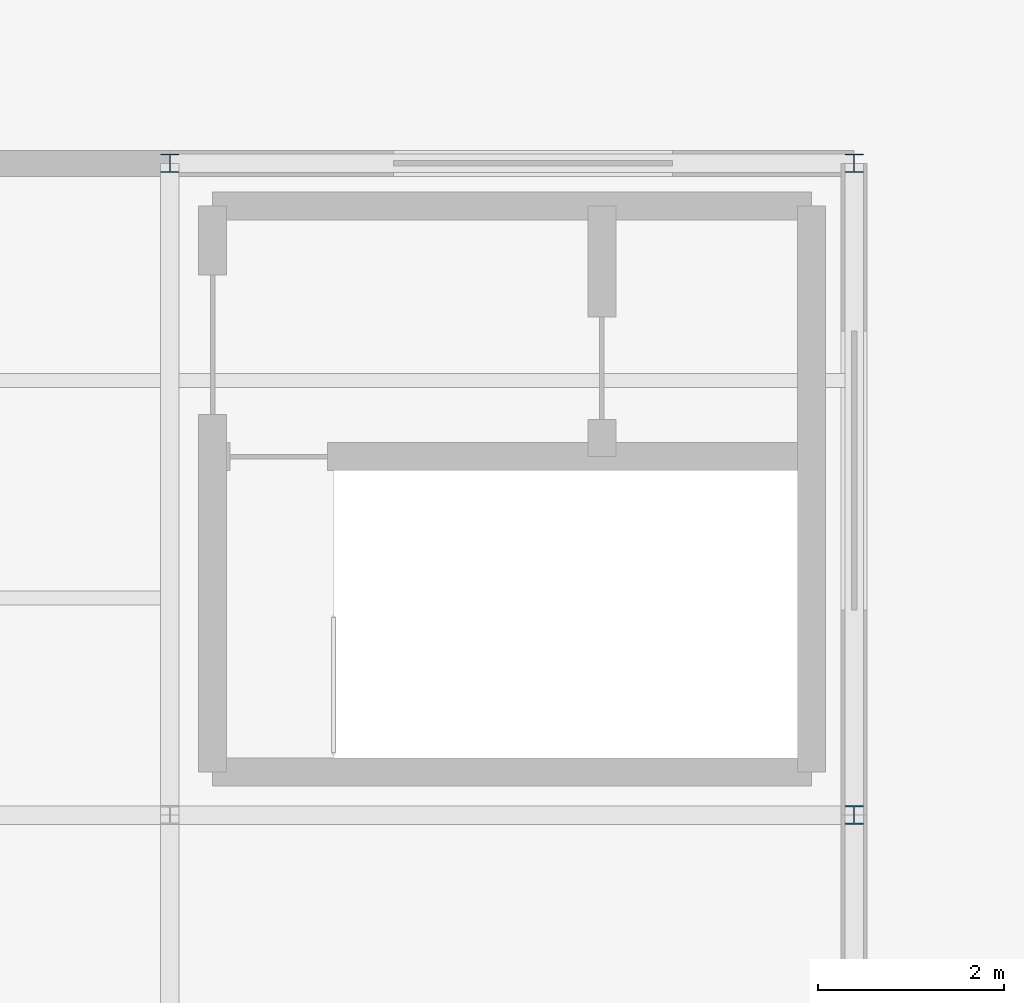
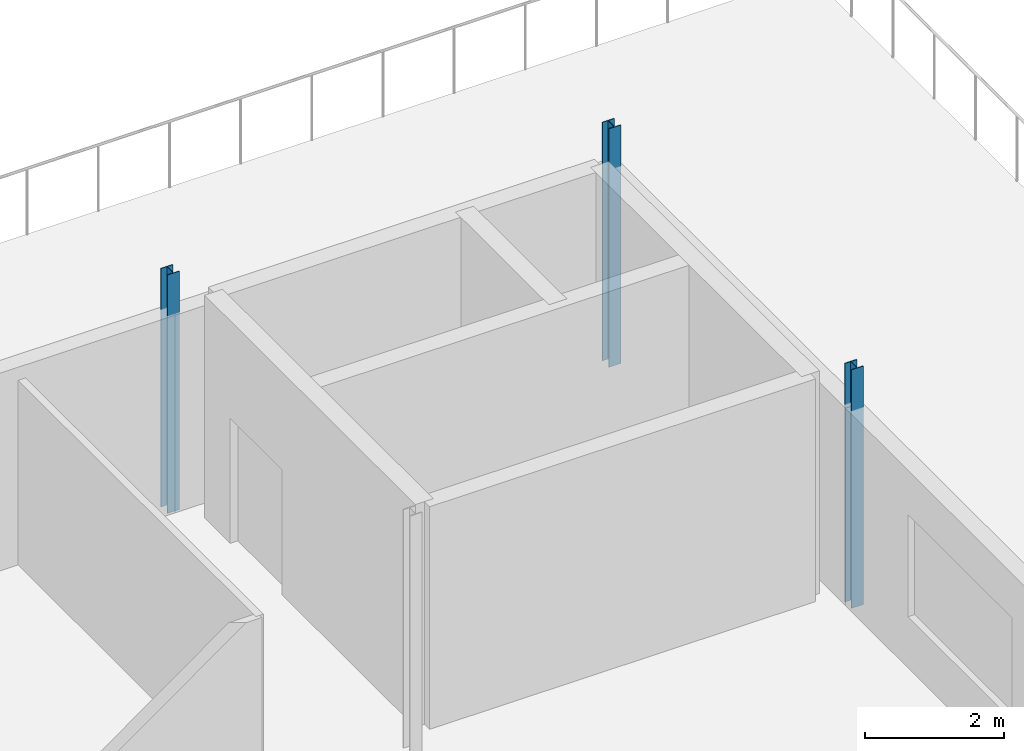
# One storey, part 6 of 10: 3 columns.
"""IFC4 building model written with IfcOpenShell, lengths in metres."""

import ifcopenshell
import ifcopenshell.guid

model = None  # the IFC model being written
_history = None  # IfcOwnerHistory: only IFC2X3 demands one
_inside = {}  # id of a spatial element -> (the spatial element, [elements in it])
_under = {}  # id of a project, library or spatial element -> (it, [spatial elements below it])
_declared = {}  # id of a project -> (the project, [libraries it declares])
_typed = {}  # id of a type object -> (the type object, [elements of that type])
_made_of = {}  # id of a material, layer set ... -> (it, [elements and type objects made of it])


def new_model(schema):
    """Start an empty IFC model of exactly this schema.

    Asked for "IFC4X3", IfcOpenShell would pick the latest addendum, in which some entities
    have other attributes; the version numbers below select the first issue.
    IFC2X3 requires an IfcOwnerHistory on every rooted entity: one is made here for all.
    """
    global model, _history
    if schema == "IFC4X3":
        model = ifcopenshell.file(schema_version=(4, 3, 0, 0))
    else:
        model = ifcopenshell.file(schema=schema)
    _inside.clear()
    _under.clear()
    _declared.clear()
    _typed.clear()
    _made_of.clear()
    _history = None
    if model.schema == "IFC2X3":
        org = make("IfcOrganization", Name="unknown")
        user = make(
            "IfcPersonAndOrganization",
            ThePerson=make("IfcPerson", FamilyName="unknown"),
            TheOrganization=org,
        )
        app = make(
            "IfcApplication",
            ApplicationDeveloper=org,
            Version="unknown",
            ApplicationFullName="unknown",
            ApplicationIdentifier="unknown",
        )
        _history = make(
            "IfcOwnerHistory",
            OwningUser=user,
            OwningApplication=app,
            ChangeAction="ADDED",
            CreationDate=0,
        )
    return model


def make(cls, **values):
    """One entity of the class cls with the attributes given. An attribute that is None is left unset."""
    return model.create_entity(
        cls, **{name: value for name, value in values.items() if value is not None}
    )


def rooted(cls, **values):
    """An entity with a GlobalId (a new one), such as an element, a storey or a relation."""
    return make(cls, GlobalId=ifcopenshell.guid.new(), OwnerHistory=_history, **values)


def si_unit(unit_type, name, prefix=None):
    """IfcSIUnit, for example si_unit("LENGTHUNIT", "METRE", prefix="MILLI")."""
    return make("IfcSIUnit", UnitType=unit_type, Prefix=prefix, Name=name)


def assignment(units):
    """IfcUnitAssignment: the units of a project."""
    return None if units is None else make("IfcUnitAssignment", Units=units)


def point(xyz):
    """IfcCartesianPoint."""
    return None if xyz is None else make("IfcCartesianPoint", Coordinates=xyz)


def direction(xyz):
    """IfcDirection."""
    return None if xyz is None else make("IfcDirection", DirectionRatios=xyz)


def frame(location, z_axis=None, x_axis=None):
    """IfcAxis2Placement3D, a coordinate frame: its origin and axes. An axis left out is left unset."""
    return make(
        "IfcAxis2Placement3D",
        Location=point(location),
        Axis=direction(z_axis),
        RefDirection=direction(x_axis),
    )


def frame_2d(location, x_axis=None):
    """IfcAxis2Placement2D, a coordinate frame in the plane: its origin and x axis."""
    return make(
        "IfcAxis2Placement2D", Location=point(location), RefDirection=direction(x_axis)
    )


def origin():
    """The frame at (0, 0, 0) with its axes left unset."""
    return frame((0.0, 0.0, 0.0))


def origin_2d():
    """The frame at (0, 0) in the plane with its x axis left unset."""
    return frame_2d((0.0, 0.0))


def place(relative_to, where):
    """IfcLocalPlacement: puts the frame where relative to a parent placement (None: the world)."""
    return make(
        "IfcLocalPlacement", PlacementRelTo=relative_to, RelativePlacement=where
    )


def context(
    kind, dimensions, precision=None, world=None, true_north=None, identifier=None
):
    """IfcGeometricRepresentationContext, for example the 3D "Model" context."""
    return make(
        "IfcGeometricRepresentationContext",
        ContextIdentifier=identifier,
        ContextType=kind,
        CoordinateSpaceDimension=dimensions,
        Precision=precision,
        WorldCoordinateSystem=world,
        TrueNorth=true_north,
    )


def subcontext(parent, identifier, kind, view, scale=None):
    """IfcGeometricRepresentationSubContext, for example "Body" below "Model"."""
    return make(
        "IfcGeometricRepresentationSubContext",
        ContextIdentifier=identifier,
        ContextType=kind,
        ParentContext=parent,
        TargetScale=scale,
        TargetView=view,
    )


def project(units=None, contexts=None):
    """IfcProject with its units and contexts."""
    return rooted(
        "IfcProject",
        Name="project",
        RepresentationContexts=contexts,
        UnitsInContext=assignment(units),
    )


def spatial(cls, under=None, at=None, **own):
    """A site, building, storey or space (cls), placed at a placement, below another one or the project."""
    s = rooted(cls, ObjectPlacement=at, **own)
    if under is not None:
        _under.setdefault(under.id(), (under, []))[1].append(s)
    return s


def profile(cls, at=None, kind="AREA", **sizes):
    """A parametric profile (cls). Its sizes go by their IFC names, for example OverallWidth=200.0."""
    return make(cls, ProfileType=kind, Position=at, **sizes)


def i_section(**sizes):
    """IfcIShapeProfileDef."""
    return profile("IfcIShapeProfileDef", **sizes)


def extrude(swept, where, along, depth):
    """IfcExtrudedAreaSolid: the profile swept, set in the frame where, extruded along a direction by depth."""
    return make(
        "IfcExtrudedAreaSolid",
        SweptArea=swept,
        Position=where,
        ExtrudedDirection=direction(along),
        Depth=depth,
    )


def shape(context_of_items, identifier, shape_type, items):
    """IfcShapeRepresentation: the items that make up one representation, for example the "Body"."""
    return make(
        "IfcShapeRepresentation",
        ContextOfItems=context_of_items,
        RepresentationIdentifier=identifier,
        RepresentationType=shape_type,
        Items=items,
    )


def material(Name=None, Category=None):
    """IfcMaterial."""
    return make("IfcMaterial", Name=Name, Category=Category)


def material_profile(
    of_material, cross_section, Name=None, Category=None, Priority=None
):
    """IfcMaterialProfile: a cross section and its material."""
    return make(
        "IfcMaterialProfile",
        Name=Name,
        Material=of_material,
        Profile=cross_section,
        Priority=Priority,
        Category=Category,
    )


def profile_set(profiles, Name=None, composite=None):
    """IfcMaterialProfileSet."""
    return make(
        "IfcMaterialProfileSet",
        Name=Name,
        MaterialProfiles=profiles,
        CompositeProfile=composite,
    )


def made_of(thing, what):
    """Note that an element or type object is made of a material, layer set ...; save() writes the relation."""
    if what is not None:
        _made_of.setdefault(what.id(), (what, []))[1].append(thing)
    return thing


def type_object(cls, material=None, **own):
    """A type object (cls), such as IfcWallType, which elements share."""
    return made_of(rooted(cls, **own), material)


def element(
    cls,
    number,
    at=None,
    inside=None,
    cuts=None,
    type_object=None,
    material=None,
    context=None,
    identifier="Body",
    shape_type=None,
    held_by="IfcProductDefinitionShape",
    body=None,
    shapes=None,
    **own,
):
    """One element of the class cls, such as IfcWall. Its Tag is "e" and its number.

    at: its placement. inside: the storey or other place that contains it. cuts: it is an
    opening in that element (IfcRelVoidsElement). A single representation is given by context,
    identifier, shape_type and body (its items); several are given by shapes. held_by: the class
    of the entity that holds the representations. save() writes the other relations.
    """
    e = rooted(cls, Tag="e%d" % number, ObjectPlacement=at, **own)
    if body is not None:
        shapes = [shape(context, identifier, shape_type, body)]
    if shapes is not None:
        e.Representation = make(held_by, Representations=shapes)
    if inside is not None:
        _inside.setdefault(inside.id(), (inside, []))[1].append(e)
    if cuts is not None:
        rooted(
            "IfcRelVoidsElement", RelatingBuildingElement=cuts, RelatedOpeningElement=e
        )
    if type_object is not None:
        _typed.setdefault(type_object.id(), (type_object, []))[1].append(e)
    return made_of(e, material)


def aggregate(whole, parts):
    """IfcRelAggregates: a whole, such as a stair, and the parts it consists of."""
    return rooted("IfcRelAggregates", RelatingObject=whole, RelatedObjects=parts)


def save(model, path):
    """Write the relations noted so far, then the file.

    IfcRelAggregates (storeys below a building ...), IfcRelContainedInSpatialStructure (elements
    in a storey), IfcRelDefinesByType, IfcRelAssociatesMaterial and IfcRelDeclares: one each for
    every whole, place, type object, material and project.
    """
    for whole, parts in _under.values():
        aggregate(whole, parts)
    for where, things in _inside.values():
        rooted(
            "IfcRelContainedInSpatialStructure",
            RelatedElements=things,
            RelatingStructure=where,
        )
    for kind, things in _typed.values():
        rooted("IfcRelDefinesByType", RelatedObjects=things, RelatingType=kind)
    for what, things in _made_of.values():
        rooted("IfcRelAssociatesMaterial", RelatedObjects=things, RelatingMaterial=what)
    for by, libraries in _declared.values():
        rooted("IfcRelDeclares", RelatingContext=by, RelatedDefinitions=libraries)
    model.write(path)


model = new_model("IFC4")

# Units and contexts
model_context = context("Model", 3, precision=1e-05, world=origin(), true_north=direction((0.0, 1.0)))
body_context = subcontext(model_context, "Body", "Model", "MODEL_VIEW")
ifc_project = project(units=[si_unit("LENGTHUNIT", "METRE"), si_unit("AREAUNIT", "SQUARE_METRE"), si_unit("VOLUMEUNIT", "CUBIC_METRE"), si_unit("PLANEANGLEUNIT", "RADIAN"), si_unit("MASSUNIT", "GRAM", prefix="KILO")], contexts=[model_context])

# Site, building, storey
site_placement = place(None, origin())
site = spatial("IfcSite", under=ifc_project, at=site_placement, CompositionType="ELEMENT")
building_placement = place(site_placement, origin())
building = spatial("IfcBuilding", under=site, at=building_placement, Name="Kazenagashi Tramway Depot", CompositionType="ELEMENT")
storey_placement = place(building_placement, frame((0.0, 0.0, 19.5)))
storey = spatial("IfcBuildingStorey", under=building, at=storey_placement, Name="L05", CompositionType="ELEMENT", Elevation=19.5)

# Columns
ifc_material = material(Name="Steel SN400B", Category="steel")
ifc_material_profile = material_profile(ifc_material, i_section(OverallWidth=0.2, OverallDepth=0.2, WebThickness=0.008, FlangeThickness=0.012, at=origin_2d()), Name="H-200x200x8x12")
ifc_profile_set = profile_set([ifc_material_profile], Name="Steel SN400B")
column_type = type_object("IfcColumnType", Name="C-07", PredefinedType="COLUMN", material=ifc_profile_set)
for number, where, z_axis, x_axis, name in (
    (1, (22.05, 42.0, 0.0), (0.0, 0.0, 1.0), (1.0, 0.0, 0.0), "Column C-07 COL-0692"),
    (2, (29.4, 35.0, 0.0), (0.0, 0.0, 1.0), (1.0, 0.0, 0.0), "Column C-07 COL-0732"),
    (3, (29.4, 42.0, 0.0), (0.0, 0.0, 1.0), (1.0, 0.0, 0.0), "Column C-07 COL-0737"),
):
    element("IfcColumn", number, at=place(storey_placement, frame(where, z_axis=z_axis, x_axis=x_axis)), inside=storey, type_object=column_type, Name=name, PredefinedType="COLUMN", context=body_context, shape_type="SweptSolid", body=[
        extrude(i_section(OverallWidth=0.2, OverallDepth=0.2, WebThickness=0.008, FlangeThickness=0.012, at=origin_2d()), origin(), (0.0, 0.0, 1.0), 4.2),
    ])

save(model, "model.ifc")
